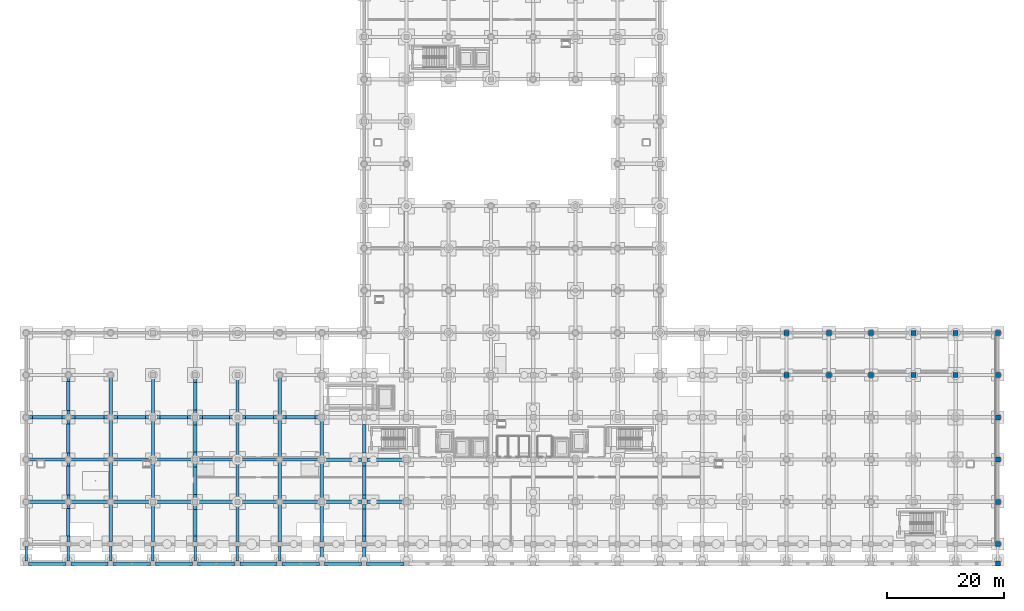
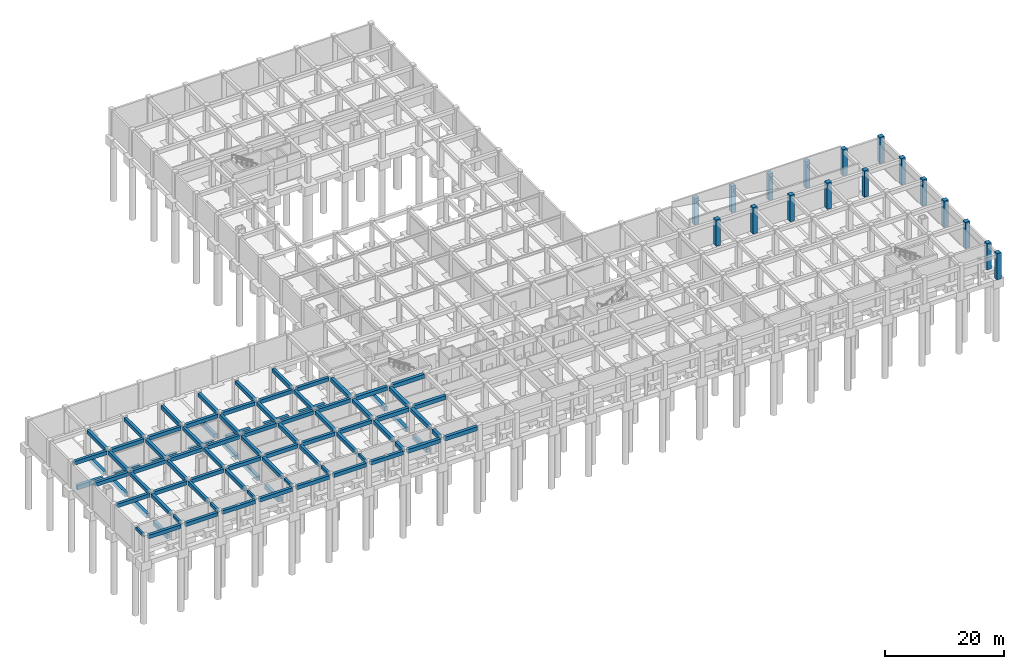
# One storey, part 8 of 26: 90 beams, 17 columns.
"""IFC4 building model written with IfcOpenShell, lengths in metres."""

import ifcopenshell
import ifcopenshell.guid

model = None  # the IFC model being written
_history = None  # IfcOwnerHistory: only IFC2X3 demands one
_inside = {}  # id of a spatial element -> (the spatial element, [elements in it])
_under = {}  # id of a project, library or spatial element -> (it, [spatial elements below it])
_declared = {}  # id of a project -> (the project, [libraries it declares])
_typed = {}  # id of a type object -> (the type object, [elements of that type])
_made_of = {}  # id of a material, layer set ... -> (it, [elements and type objects made of it])


def new_model(schema):
    """Start an empty IFC model of exactly this schema.

    Asked for "IFC4X3", IfcOpenShell would pick the latest addendum, in which some entities
    have other attributes; the version numbers below select the first issue.
    IFC2X3 requires an IfcOwnerHistory on every rooted entity: one is made here for all.
    """
    global model, _history
    if schema == "IFC4X3":
        model = ifcopenshell.file(schema_version=(4, 3, 0, 0))
    else:
        model = ifcopenshell.file(schema=schema)
    _inside.clear()
    _under.clear()
    _declared.clear()
    _typed.clear()
    _made_of.clear()
    _history = None
    if model.schema == "IFC2X3":
        org = make("IfcOrganization", Name="unknown")
        user = make(
            "IfcPersonAndOrganization",
            ThePerson=make("IfcPerson", FamilyName="unknown"),
            TheOrganization=org,
        )
        app = make(
            "IfcApplication",
            ApplicationDeveloper=org,
            Version="unknown",
            ApplicationFullName="unknown",
            ApplicationIdentifier="unknown",
        )
        _history = make(
            "IfcOwnerHistory",
            OwningUser=user,
            OwningApplication=app,
            ChangeAction="ADDED",
            CreationDate=0,
        )
    return model


def make(cls, **values):
    """One entity of the class cls with the attributes given. An attribute that is None is left unset."""
    return model.create_entity(
        cls, **{name: value for name, value in values.items() if value is not None}
    )


def rooted(cls, **values):
    """An entity with a GlobalId (a new one), such as an element, a storey or a relation."""
    return make(cls, GlobalId=ifcopenshell.guid.new(), OwnerHistory=_history, **values)


def si_unit(unit_type, name, prefix=None):
    """IfcSIUnit, for example si_unit("LENGTHUNIT", "METRE", prefix="MILLI")."""
    return make("IfcSIUnit", UnitType=unit_type, Prefix=prefix, Name=name)


def assignment(units):
    """IfcUnitAssignment: the units of a project."""
    return None if units is None else make("IfcUnitAssignment", Units=units)


def point(xyz):
    """IfcCartesianPoint."""
    return None if xyz is None else make("IfcCartesianPoint", Coordinates=xyz)


def direction(xyz):
    """IfcDirection."""
    return None if xyz is None else make("IfcDirection", DirectionRatios=xyz)


def frame(location, z_axis=None, x_axis=None):
    """IfcAxis2Placement3D, a coordinate frame: its origin and axes. An axis left out is left unset."""
    return make(
        "IfcAxis2Placement3D",
        Location=point(location),
        Axis=direction(z_axis),
        RefDirection=direction(x_axis),
    )


def frame_2d(location, x_axis=None):
    """IfcAxis2Placement2D, a coordinate frame in the plane: its origin and x axis."""
    return make(
        "IfcAxis2Placement2D", Location=point(location), RefDirection=direction(x_axis)
    )


def origin():
    """The frame at (0, 0, 0) with its axes left unset."""
    return frame((0.0, 0.0, 0.0))


def origin_2d():
    """The frame at (0, 0) in the plane with its x axis left unset."""
    return frame_2d((0.0, 0.0))


def place(relative_to, where):
    """IfcLocalPlacement: puts the frame where relative to a parent placement (None: the world)."""
    return make(
        "IfcLocalPlacement", PlacementRelTo=relative_to, RelativePlacement=where
    )


def context(
    kind, dimensions, precision=None, world=None, true_north=None, identifier=None
):
    """IfcGeometricRepresentationContext, for example the 3D "Model" context."""
    return make(
        "IfcGeometricRepresentationContext",
        ContextIdentifier=identifier,
        ContextType=kind,
        CoordinateSpaceDimension=dimensions,
        Precision=precision,
        WorldCoordinateSystem=world,
        TrueNorth=true_north,
    )


def subcontext(parent, identifier, kind, view, scale=None):
    """IfcGeometricRepresentationSubContext, for example "Body" below "Model"."""
    return make(
        "IfcGeometricRepresentationSubContext",
        ContextIdentifier=identifier,
        ContextType=kind,
        ParentContext=parent,
        TargetScale=scale,
        TargetView=view,
    )


def project(units=None, contexts=None):
    """IfcProject with its units and contexts."""
    return rooted(
        "IfcProject",
        Name="project",
        RepresentationContexts=contexts,
        UnitsInContext=assignment(units),
    )


def spatial(cls, under=None, at=None, **own):
    """A site, building, storey or space (cls), placed at a placement, below another one or the project."""
    s = rooted(cls, ObjectPlacement=at, **own)
    if under is not None:
        _under.setdefault(under.id(), (under, []))[1].append(s)
    return s


def profile(cls, at=None, kind="AREA", **sizes):
    """A parametric profile (cls). Its sizes go by their IFC names, for example OverallWidth=200.0."""
    return make(cls, ProfileType=kind, Position=at, **sizes)


def rectangle(**sizes):
    """IfcRectangleProfileDef."""
    return profile("IfcRectangleProfileDef", **sizes)


def extrude(swept, where, along, depth):
    """IfcExtrudedAreaSolid: the profile swept, set in the frame where, extruded along a direction by depth."""
    return make(
        "IfcExtrudedAreaSolid",
        SweptArea=swept,
        Position=where,
        ExtrudedDirection=direction(along),
        Depth=depth,
    )


def shape(context_of_items, identifier, shape_type, items):
    """IfcShapeRepresentation: the items that make up one representation, for example the "Body"."""
    return make(
        "IfcShapeRepresentation",
        ContextOfItems=context_of_items,
        RepresentationIdentifier=identifier,
        RepresentationType=shape_type,
        Items=items,
    )


def material(Name=None, Category=None):
    """IfcMaterial."""
    return make("IfcMaterial", Name=Name, Category=Category)


def material_profile(
    of_material, cross_section, Name=None, Category=None, Priority=None
):
    """IfcMaterialProfile: a cross section and its material."""
    return make(
        "IfcMaterialProfile",
        Name=Name,
        Material=of_material,
        Profile=cross_section,
        Priority=Priority,
        Category=Category,
    )


def profile_set(profiles, Name=None, composite=None):
    """IfcMaterialProfileSet."""
    return make(
        "IfcMaterialProfileSet",
        Name=Name,
        MaterialProfiles=profiles,
        CompositeProfile=composite,
    )


def made_of(thing, what):
    """Note that an element or type object is made of a material, layer set ...; save() writes the relation."""
    if what is not None:
        _made_of.setdefault(what.id(), (what, []))[1].append(thing)
    return thing


def type_object(cls, material=None, **own):
    """A type object (cls), such as IfcWallType, which elements share."""
    return made_of(rooted(cls, **own), material)


def element(
    cls,
    number,
    at=None,
    inside=None,
    cuts=None,
    type_object=None,
    material=None,
    context=None,
    identifier="Body",
    shape_type=None,
    held_by="IfcProductDefinitionShape",
    body=None,
    shapes=None,
    **own,
):
    """One element of the class cls, such as IfcWall. Its Tag is "e" and its number.

    at: its placement. inside: the storey or other place that contains it. cuts: it is an
    opening in that element (IfcRelVoidsElement). A single representation is given by context,
    identifier, shape_type and body (its items); several are given by shapes. held_by: the class
    of the entity that holds the representations. save() writes the other relations.
    """
    e = rooted(cls, Tag="e%d" % number, ObjectPlacement=at, **own)
    if body is not None:
        shapes = [shape(context, identifier, shape_type, body)]
    if shapes is not None:
        e.Representation = make(held_by, Representations=shapes)
    if inside is not None:
        _inside.setdefault(inside.id(), (inside, []))[1].append(e)
    if cuts is not None:
        rooted(
            "IfcRelVoidsElement", RelatingBuildingElement=cuts, RelatedOpeningElement=e
        )
    if type_object is not None:
        _typed.setdefault(type_object.id(), (type_object, []))[1].append(e)
    return made_of(e, material)


def aggregate(whole, parts):
    """IfcRelAggregates: a whole, such as a stair, and the parts it consists of."""
    return rooted("IfcRelAggregates", RelatingObject=whole, RelatedObjects=parts)


def save(model, path):
    """Write the relations noted so far, then the file.

    IfcRelAggregates (storeys below a building ...), IfcRelContainedInSpatialStructure (elements
    in a storey), IfcRelDefinesByType, IfcRelAssociatesMaterial and IfcRelDeclares: one each for
    every whole, place, type object, material and project.
    """
    for whole, parts in _under.values():
        aggregate(whole, parts)
    for where, things in _inside.values():
        rooted(
            "IfcRelContainedInSpatialStructure",
            RelatedElements=things,
            RelatingStructure=where,
        )
    for kind, things in _typed.values():
        rooted("IfcRelDefinesByType", RelatedObjects=things, RelatingType=kind)
    for what, things in _made_of.values():
        rooted("IfcRelAssociatesMaterial", RelatedObjects=things, RelatingMaterial=what)
    for by, libraries in _declared.values():
        rooted("IfcRelDeclares", RelatingContext=by, RelatedDefinitions=libraries)
    model.write(path)


model = new_model("IFC4")

# Units and contexts
model_context = context("Model", 3, precision=1e-05, world=origin(), true_north=direction((0.0, 1.0)))
body_context = subcontext(model_context, "Body", "Model", "MODEL_VIEW")
ifc_project = project(units=[si_unit("LENGTHUNIT", "METRE"), si_unit("AREAUNIT", "SQUARE_METRE"), si_unit("VOLUMEUNIT", "CUBIC_METRE"), si_unit("PLANEANGLEUNIT", "RADIAN"), si_unit("MASSUNIT", "GRAM", prefix="KILO")], contexts=[model_context])

# Site, building, storey
site_placement = place(None, origin())
site = spatial("IfcSite", under=ifc_project, at=site_placement, CompositionType="ELEMENT")
building_placement = place(site_placement, origin())
building = spatial("IfcBuilding", under=site, at=building_placement, Name="Kazehaya Institute of Natural Sciences", CompositionType="ELEMENT")
storey_placement = place(building_placement, frame((0.0, 0.0, -5.39990234375)))
storey = spatial("IfcBuildingStorey", under=building, at=storey_placement, Name="B1", CompositionType="ELEMENT", Elevation=-5.39990234375)

# Columns
ifc_material_1 = material(Name="Concrete Fc42", Category="concrete")
ifc_material_profile_1 = material_profile(ifc_material_1, rectangle(XDim=0.85009765625, YDim=0.85009765625, at=origin_2d()), Name="RC-850x850")
ifc_profile_set_1 = profile_set([ifc_material_profile_1], Name="Concrete Fc42")
column_type = type_object("IfcColumnType", Name="COL-RC850", PredefinedType="COLUMN", material=ifc_profile_set_1)
for number, where, z_axis, x_axis, name in (
    (1, (169.800048828125, 3.449951171875, 0.0), (0.0, 0.0, 1.0), (1.0, 0.0, 0.0), "B1 column COL-B1-0024"),
    (2, (169.800048828125, 6.800048828125, 0.0), (0.0, 0.0, 1.0), (1.0, 0.0, 0.0), "B1 column COL-B1-0048"),
    (3, (169.800048828125, 14.0, 0.0), (0.0, 0.0, 1.0), (1.0, 0.0, 0.0), "B1 column COL-B1-0072"),
    (4, (169.800048828125, 21.199951171875, 0.0), (0.0, 0.0, 1.0), (1.0, 0.0, 0.0), "B1 column COL-B1-0096"),
    (5, (169.800048828125, 28.39990234375, 0.0), (0.0, 0.0, 1.0), (1.0, 0.0, 0.0), "B1 column COL-B1-0120"),
    (6, (133.800048828125, 35.60009765625, 0.0), (0.0, 0.0, 1.0), (1.0, 0.0, 0.0), "B1 column COL-B1-0139"),
    (7, (141.0, 35.60009765625, 0.0), (0.0, 0.0, 1.0), (1.0, 0.0, 0.0), "B1 column COL-B1-0140"),
    (8, (148.199951171875, 35.60009765625, 0.0), (0.0, 0.0, 1.0), (1.0, 0.0, 0.0), "B1 column COL-B1-0141"),
    (9, (155.39990234375, 35.60009765625, 0.0), (0.0, 0.0, 1.0), (1.0, 0.0, 0.0), "B1 column COL-B1-0142"),
    (10, (162.60009765625, 35.60009765625, 0.0), (0.0, 0.0, 1.0), (1.0, 0.0, 0.0), "B1 column COL-B1-0143"),
    (11, (169.800048828125, 35.60009765625, 0.0), (0.0, 0.0, 1.0), (1.0, 0.0, 0.0), "B1 column COL-B1-0144"),
    (12, (133.800048828125, 42.800048828125, 0.0), (0.0, 0.0, 1.0), (1.0, 0.0, 0.0), "B1 column COL-B1-0163"),
    (13, (141.0, 42.800048828125, 0.0), (0.0, 0.0, 1.0), (1.0, 0.0, 0.0), "B1 column COL-B1-0164"),
    (14, (148.199951171875, 42.800048828125, 0.0), (0.0, 0.0, 1.0), (1.0, 0.0, 0.0), "B1 column COL-B1-0165"),
    (15, (155.39990234375, 42.800048828125, 0.0), (0.0, 0.0, 1.0), (1.0, 0.0, 0.0), "B1 column COL-B1-0166"),
    (16, (162.60009765625, 42.800048828125, 0.0), (0.0, 0.0, 1.0), (1.0, 0.0, 0.0), "B1 column COL-B1-0167"),
    (17, (169.800048828125, 42.800048828125, 0.0), (0.0, 0.0, 1.0), (1.0, 0.0, 0.0), "B1 column COL-B1-0168"),
):
    element("IfcColumn", number, at=place(storey_placement, frame(where, z_axis=z_axis, x_axis=x_axis)), inside=storey, type_object=column_type, Name=name, PredefinedType="COLUMN", context=body_context, shape_type="SweptSolid", body=[
        extrude(rectangle(XDim=0.85009765625, YDim=0.85009765625, at=origin_2d()), origin(), (0.0, 0.0, 1.0), 5.39990234375),
    ])

# Beams
ifc_material_2 = material(Name="Concrete Fc36", Category="concrete")
ifc_material_profile_2 = material_profile(ifc_material_2, rectangle(XDim=0.39990234375, YDim=0.60009765625, at=origin_2d()), Name="RC-400x600")
ifc_profile_set_2 = profile_set([ifc_material_profile_2], Name="Concrete Fc36")
beam_type_1 = type_object("IfcBeamType", Name="BM-B-400x600", PredefinedType="BEAM", material=ifc_profile_set_2)
for number, where, z_axis, x_axis, name in (
    (18, (4.199951171875, 3.875, 4.81982421875), (0.0, 1.0, 0.0), (-1.0, 0.0, 0.0), "B1 primary Y girder BMY-B1-42-34"),
    (19, (11.39990234375, 3.875, 4.81982421875), (0.0, 1.0, 0.0), (-1.0, 0.0, 0.0), "B1 primary Y girder BMY-B1-114-34"),
    (20, (18.60009765625, 3.875, 4.81982421875), (0.0, 1.0, 0.0), (-1.0, 0.0, 0.0), "B1 primary Y girder BMY-B1-186-34"),
    (21, (25.800048828125, 3.875, 4.81982421875), (0.0, 1.0, 0.0), (-1.0, 0.0, 0.0), "B1 primary Y girder BMY-B1-258-34"),
    (22, (33.0, 3.875, 4.81982421875), (0.0, 1.0, 0.0), (-1.0, 0.0, 0.0), "B1 primary Y girder BMY-B1-330-34"),
    (23, (40.199951171875, 3.875, 4.81982421875), (0.0, 1.0, 0.0), (-1.0, 0.0, 0.0), "B1 primary Y girder BMY-B1-402-34"),
    (24, (47.39990234375, 3.875, 4.81982421875), (0.0, 1.0, 0.0), (-1.0, 0.0, 0.0), "B1 primary Y girder BMY-B1-474-34"),
):
    element("IfcBeam", number, at=place(storey_placement, frame(where, z_axis=z_axis, x_axis=x_axis)), inside=storey, type_object=beam_type_1, Name=name, PredefinedType="BEAM", context=body_context, shape_type="SweptSolid", body=[
        extrude(rectangle(XDim=0.39990234375, YDim=0.60009765625, at=origin_2d()), origin(), (0.0, 0.0, 1.0), 2.5),
    ])
ifc_material_profile_3 = material_profile(ifc_material_2, rectangle(XDim=0.550048828125, YDim=0.75, at=origin_2d()), Name="RC-550x750")
ifc_profile_set_3 = profile_set([ifc_material_profile_3], Name="Concrete Fc36")
beam_type_2 = type_object("IfcBeamType", Name="BM-G-550x750", PredefinedType="BEAM", material=ifc_profile_set_3)
for number, where, z_axis, x_axis, name in (
    (25, (4.625, 3.449951171875, 4.744873046875), (1.0, 0.0, 0.0), (0.0, 1.0, 0.0), "B1 primary X girder BMX-B1-42-34"),
    (26, (11.824951171875, 3.449951171875, 4.744873046875), (1.0, 0.0, 0.0), (0.0, 1.0, 0.0), "B1 primary X girder BMX-B1-114-34"),
    (27, (19.02490234375, 3.449951171875, 4.744873046875), (1.0, 0.0, 0.0), (0.0, 1.0, 0.0), "B1 primary X girder BMX-B1-186-34"),
):
    element("IfcBeam", number, at=place(storey_placement, frame(where, z_axis=z_axis, x_axis=x_axis)), inside=storey, type_object=beam_type_2, Name=name, PredefinedType="BEAM", context=body_context, shape_type="SweptSolid", body=[
        extrude(rectangle(XDim=0.550048828125, YDim=0.75, at=origin_2d()), origin(), (0.0, 0.0, 1.0), 6.35009765625),
    ])
for number, where, z_axis, x_axis, name in (
    (28, (26.22509765625, 3.449951171875, 4.744873046875), (1.0, 0.0, 0.0), (0.0, 1.0, 0.0), "B1 primary X girder BMX-B1-258-34"),
    (29, (33.425048828125, 3.449951171875, 4.744873046875), (1.0, 0.0, 0.0), (0.0, 1.0, 0.0), "B1 primary X girder BMX-B1-330-34"),
):
    element("IfcBeam", number, at=place(storey_placement, frame(where, z_axis=z_axis, x_axis=x_axis)), inside=storey, type_object=beam_type_2, Name=name, PredefinedType="BEAM", context=body_context, shape_type="SweptSolid", body=[
        extrude(rectangle(XDim=0.550048828125, YDim=0.75, at=origin_2d()), origin(), (0.0, 0.0, 1.0), 6.349853515625),
    ])
for number, where, z_axis, x_axis, name in (
    (30, (40.625, 3.449951171875, 4.744873046875), (1.0, 0.0, 0.0), (0.0, 1.0, 0.0), "B1 primary X girder BMX-B1-402-34"),
    (31, (47.824951171875, 3.449951171875, 4.744873046875), (1.0, 0.0, 0.0), (0.0, 1.0, 0.0), "B1 primary X girder BMX-B1-474-34"),
    (32, (4.625, 14.0, 4.744873046875), (1.0, 0.0, 0.0), (0.0, 1.0, 0.0), "B1 primary X girder BMX-B1-42-140"),
    (33, (11.824951171875, 14.0, 4.744873046875), (1.0, 0.0, 0.0), (0.0, 1.0, 0.0), "B1 primary X girder BMX-B1-114-140"),
    (34, (19.02490234375, 14.0, 4.744873046875), (1.0, 0.0, 0.0), (0.0, 1.0, 0.0), "B1 primary X girder BMX-B1-186-140"),
):
    element("IfcBeam", number, at=place(storey_placement, frame(where, z_axis=z_axis, x_axis=x_axis)), inside=storey, type_object=beam_type_2, Name=name, PredefinedType="BEAM", context=body_context, shape_type="SweptSolid", body=[
        extrude(rectangle(XDim=0.550048828125, YDim=0.75, at=origin_2d()), origin(), (0.0, 0.0, 1.0), 6.35009765625),
    ])
for number, where, z_axis, x_axis, name in (
    (35, (26.22509765625, 14.0, 4.744873046875), (1.0, 0.0, 0.0), (0.0, 1.0, 0.0), "B1 primary X girder BMX-B1-258-140"),
    (36, (33.425048828125, 14.0, 4.744873046875), (1.0, 0.0, 0.0), (0.0, 1.0, 0.0), "B1 primary X girder BMX-B1-330-140"),
):
    element("IfcBeam", number, at=place(storey_placement, frame(where, z_axis=z_axis, x_axis=x_axis)), inside=storey, type_object=beam_type_2, Name=name, PredefinedType="BEAM", context=body_context, shape_type="SweptSolid", body=[
        extrude(rectangle(XDim=0.550048828125, YDim=0.75, at=origin_2d()), origin(), (0.0, 0.0, 1.0), 6.349853515625),
    ])
beam_1_placement = place(storey_placement, frame((40.625, 14.0, 4.744873046875), z_axis=(1.0, 0.0, 0.0), x_axis=(0.0, 1.0, 0.0)))
element("IfcBeam", 37, at=beam_1_placement, inside=storey, type_object=beam_type_2, Name="B1 primary X girder BMX-B1-402-140", PredefinedType="BEAM", context=body_context, shape_type="SweptSolid", body=[
    extrude(rectangle(XDim=0.550048828125, YDim=0.75, at=origin_2d()), origin(), (0.0, 0.0, 1.0), 6.35009765625),
])
beam_2_placement = place(storey_placement, frame((47.824951171875, 14.0, 4.744873046875), z_axis=(1.0, 0.0, 0.0), x_axis=(0.0, 1.0, 0.0)))
element("IfcBeam", 38, at=beam_2_placement, inside=storey, type_object=beam_type_2, Name="B1 primary X girder BMX-B1-474-140", PredefinedType="BEAM", context=body_context, shape_type="SweptSolid", body=[
    extrude(rectangle(XDim=0.550048828125, YDim=0.75, at=origin_2d()), origin(), (0.0, 0.0, 1.0), 6.300048828125),
])
for number, where, z_axis, x_axis, name in (
    (39, (4.625, 21.199951171875, 4.744873046875), (1.0, 0.0, 0.0), (0.0, 1.0, 0.0), "B1 primary X girder BMX-B1-42-212"),
    (40, (11.824951171875, 21.199951171875, 4.744873046875), (1.0, 0.0, 0.0), (0.0, 1.0, 0.0), "B1 primary X girder BMX-B1-114-212"),
    (41, (19.02490234375, 21.199951171875, 4.744873046875), (1.0, 0.0, 0.0), (0.0, 1.0, 0.0), "B1 primary X girder BMX-B1-186-212"),
):
    element("IfcBeam", number, at=place(storey_placement, frame(where, z_axis=z_axis, x_axis=x_axis)), inside=storey, type_object=beam_type_2, Name=name, PredefinedType="BEAM", context=body_context, shape_type="SweptSolid", body=[
        extrude(rectangle(XDim=0.550048828125, YDim=0.75, at=origin_2d()), origin(), (0.0, 0.0, 1.0), 6.35009765625),
    ])
for number, where, z_axis, x_axis, name in (
    (42, (26.22509765625, 21.199951171875, 4.744873046875), (1.0, 0.0, 0.0), (0.0, 1.0, 0.0), "B1 primary X girder BMX-B1-258-212"),
    (43, (33.425048828125, 21.199951171875, 4.744873046875), (1.0, 0.0, 0.0), (0.0, 1.0, 0.0), "B1 primary X girder BMX-B1-330-212"),
):
    element("IfcBeam", number, at=place(storey_placement, frame(where, z_axis=z_axis, x_axis=x_axis)), inside=storey, type_object=beam_type_2, Name=name, PredefinedType="BEAM", context=body_context, shape_type="SweptSolid", body=[
        extrude(rectangle(XDim=0.550048828125, YDim=0.75, at=origin_2d()), origin(), (0.0, 0.0, 1.0), 6.349853515625),
    ])
beam_3_placement = place(storey_placement, frame((40.625, 21.199951171875, 4.744873046875), z_axis=(1.0, 0.0, 0.0), x_axis=(0.0, 1.0, 0.0)))
element("IfcBeam", 44, at=beam_3_placement, inside=storey, type_object=beam_type_2, Name="B1 primary X girder BMX-B1-402-212", PredefinedType="BEAM", context=body_context, shape_type="SweptSolid", body=[
    extrude(rectangle(XDim=0.550048828125, YDim=0.75, at=origin_2d()), origin(), (0.0, 0.0, 1.0), 6.35009765625),
])
beam_4_placement = place(storey_placement, frame((47.824951171875, 21.199951171875, 4.744873046875), z_axis=(1.0, 0.0, 0.0), x_axis=(0.0, 1.0, 0.0)))
element("IfcBeam", 45, at=beam_4_placement, inside=storey, type_object=beam_type_2, Name="B1 primary X girder BMX-B1-474-212", PredefinedType="BEAM", context=body_context, shape_type="SweptSolid", body=[
    extrude(rectangle(XDim=0.550048828125, YDim=0.75, at=origin_2d()), origin(), (0.0, 0.0, 1.0), 6.300048828125),
])
for number, where, z_axis, x_axis, name in (
    (46, (4.625, 28.39990234375, 4.744873046875), (1.0, 0.0, 0.0), (0.0, 1.0, 0.0), "B1 primary X girder BMX-B1-42-284"),
    (47, (11.824951171875, 28.39990234375, 4.744873046875), (1.0, 0.0, 0.0), (0.0, 1.0, 0.0), "B1 primary X girder BMX-B1-114-284"),
    (48, (19.02490234375, 28.39990234375, 4.744873046875), (1.0, 0.0, 0.0), (0.0, 1.0, 0.0), "B1 primary X girder BMX-B1-186-284"),
):
    element("IfcBeam", number, at=place(storey_placement, frame(where, z_axis=z_axis, x_axis=x_axis)), inside=storey, type_object=beam_type_2, Name=name, PredefinedType="BEAM", context=body_context, shape_type="SweptSolid", body=[
        extrude(rectangle(XDim=0.550048828125, YDim=0.75, at=origin_2d()), origin(), (0.0, 0.0, 1.0), 6.35009765625),
    ])
for number, where, z_axis, x_axis, name in (
    (49, (26.22509765625, 28.39990234375, 4.744873046875), (1.0, 0.0, 0.0), (0.0, 1.0, 0.0), "B1 primary X girder BMX-B1-258-284"),
    (50, (33.425048828125, 28.39990234375, 4.744873046875), (1.0, 0.0, 0.0), (0.0, 1.0, 0.0), "B1 primary X girder BMX-B1-330-284"),
):
    element("IfcBeam", number, at=place(storey_placement, frame(where, z_axis=z_axis, x_axis=x_axis)), inside=storey, type_object=beam_type_2, Name=name, PredefinedType="BEAM", context=body_context, shape_type="SweptSolid", body=[
        extrude(rectangle(XDim=0.550048828125, YDim=0.75, at=origin_2d()), origin(), (0.0, 0.0, 1.0), 6.349853515625),
    ])
beam_5_placement = place(storey_placement, frame((40.625, 28.39990234375, 4.744873046875), z_axis=(1.0, 0.0, 0.0), x_axis=(0.0, 1.0, 0.0)))
element("IfcBeam", 51, at=beam_5_placement, inside=storey, type_object=beam_type_2, Name="B1 primary X girder BMX-B1-402-284", PredefinedType="BEAM", context=body_context, shape_type="SweptSolid", body=[
    extrude(rectangle(XDim=0.550048828125, YDim=0.75, at=origin_2d()), origin(), (0.0, 0.0, 1.0), 6.35009765625),
])
beam_6_placement = place(storey_placement, frame((47.824951171875, 28.39990234375, 4.744873046875), z_axis=(1.0, 0.0, 0.0), x_axis=(0.0, 1.0, 0.0)))
element("IfcBeam", 52, at=beam_6_placement, inside=storey, type_object=beam_type_2, Name="B1 primary X girder BMX-B1-474-284", PredefinedType="BEAM", context=body_context, shape_type="SweptSolid", body=[
    extrude(rectangle(XDim=0.550048828125, YDim=0.75, at=origin_2d()), origin(), (0.0, 0.0, 1.0), 6.300048828125),
])
for number, where, z_axis, x_axis, name in (
    (53, (11.39990234375, 7.22509765625, 4.744873046875), (0.0, 1.0, 0.0), (-1.0, 0.0, 0.0), "B1 primary Y girder BMY-B1-114-68"),
    (54, (11.39990234375, 14.425048828125, 4.744873046875), (0.0, 1.0, 0.0), (-1.0, 0.0, 0.0), "B1 primary Y girder BMY-B1-114-140"),
):
    element("IfcBeam", number, at=place(storey_placement, frame(where, z_axis=z_axis, x_axis=x_axis)), inside=storey, type_object=beam_type_2, Name=name, PredefinedType="BEAM", context=body_context, shape_type="SweptSolid", body=[
        extrude(rectangle(XDim=0.550048828125, YDim=0.75, at=origin_2d()), origin(), (0.0, 0.0, 1.0), 6.349853515625),
    ])
for number, where, z_axis, x_axis, name in (
    (55, (11.39990234375, 21.625, 4.744873046875), (0.0, 1.0, 0.0), (-1.0, 0.0, 0.0), "B1 primary Y girder BMY-B1-114-212"),
    (56, (11.39990234375, 28.824951171875, 4.744873046875), (0.0, 1.0, 0.0), (-1.0, 0.0, 0.0), "B1 primary Y girder BMY-B1-114-284"),
):
    element("IfcBeam", number, at=place(storey_placement, frame(where, z_axis=z_axis, x_axis=x_axis)), inside=storey, type_object=beam_type_2, Name=name, PredefinedType="BEAM", context=body_context, shape_type="SweptSolid", body=[
        extrude(rectangle(XDim=0.550048828125, YDim=0.75, at=origin_2d()), origin(), (0.0, 0.0, 1.0), 6.35009765625),
    ])
for number, where, z_axis, x_axis, name in (
    (57, (18.60009765625, 7.22509765625, 4.744873046875), (0.0, 1.0, 0.0), (-1.0, 0.0, 0.0), "B1 primary Y girder BMY-B1-186-68"),
    (58, (18.60009765625, 14.425048828125, 4.744873046875), (0.0, 1.0, 0.0), (-1.0, 0.0, 0.0), "B1 primary Y girder BMY-B1-186-140"),
):
    element("IfcBeam", number, at=place(storey_placement, frame(where, z_axis=z_axis, x_axis=x_axis)), inside=storey, type_object=beam_type_2, Name=name, PredefinedType="BEAM", context=body_context, shape_type="SweptSolid", body=[
        extrude(rectangle(XDim=0.550048828125, YDim=0.75, at=origin_2d()), origin(), (0.0, 0.0, 1.0), 6.349853515625),
    ])
for number, where, z_axis, x_axis, name in (
    (59, (18.60009765625, 21.625, 4.744873046875), (0.0, 1.0, 0.0), (-1.0, 0.0, 0.0), "B1 primary Y girder BMY-B1-186-212"),
    (60, (18.60009765625, 28.824951171875, 4.744873046875), (0.0, 1.0, 0.0), (-1.0, 0.0, 0.0), "B1 primary Y girder BMY-B1-186-284"),
):
    element("IfcBeam", number, at=place(storey_placement, frame(where, z_axis=z_axis, x_axis=x_axis)), inside=storey, type_object=beam_type_2, Name=name, PredefinedType="BEAM", context=body_context, shape_type="SweptSolid", body=[
        extrude(rectangle(XDim=0.550048828125, YDim=0.75, at=origin_2d()), origin(), (0.0, 0.0, 1.0), 6.35009765625),
    ])
for number, where, z_axis, x_axis, name in (
    (61, (25.800048828125, 7.22509765625, 4.744873046875), (0.0, 1.0, 0.0), (-1.0, 0.0, 0.0), "B1 primary Y girder BMY-B1-258-68"),
    (62, (25.800048828125, 14.425048828125, 4.744873046875), (0.0, 1.0, 0.0), (-1.0, 0.0, 0.0), "B1 primary Y girder BMY-B1-258-140"),
):
    element("IfcBeam", number, at=place(storey_placement, frame(where, z_axis=z_axis, x_axis=x_axis)), inside=storey, type_object=beam_type_2, Name=name, PredefinedType="BEAM", context=body_context, shape_type="SweptSolid", body=[
        extrude(rectangle(XDim=0.550048828125, YDim=0.75, at=origin_2d()), origin(), (0.0, 0.0, 1.0), 6.349853515625),
    ])
for number, where, z_axis, x_axis, name in (
    (63, (25.800048828125, 21.625, 4.744873046875), (0.0, 1.0, 0.0), (-1.0, 0.0, 0.0), "B1 primary Y girder BMY-B1-258-212"),
    (64, (25.800048828125, 28.824951171875, 4.744873046875), (0.0, 1.0, 0.0), (-1.0, 0.0, 0.0), "B1 primary Y girder BMY-B1-258-284"),
):
    element("IfcBeam", number, at=place(storey_placement, frame(where, z_axis=z_axis, x_axis=x_axis)), inside=storey, type_object=beam_type_2, Name=name, PredefinedType="BEAM", context=body_context, shape_type="SweptSolid", body=[
        extrude(rectangle(XDim=0.550048828125, YDim=0.75, at=origin_2d()), origin(), (0.0, 0.0, 1.0), 6.35009765625),
    ])
for number, where, z_axis, x_axis, name in (
    (65, (33.0, 7.22509765625, 4.744873046875), (0.0, 1.0, 0.0), (-1.0, 0.0, 0.0), "B1 primary Y girder BMY-B1-330-68"),
    (66, (33.0, 14.425048828125, 4.744873046875), (0.0, 1.0, 0.0), (-1.0, 0.0, 0.0), "B1 primary Y girder BMY-B1-330-140"),
):
    element("IfcBeam", number, at=place(storey_placement, frame(where, z_axis=z_axis, x_axis=x_axis)), inside=storey, type_object=beam_type_2, Name=name, PredefinedType="BEAM", context=body_context, shape_type="SweptSolid", body=[
        extrude(rectangle(XDim=0.550048828125, YDim=0.75, at=origin_2d()), origin(), (0.0, 0.0, 1.0), 6.349853515625),
    ])
for number, where, z_axis, x_axis, name in (
    (67, (33.0, 21.625, 4.744873046875), (0.0, 1.0, 0.0), (-1.0, 0.0, 0.0), "B1 primary Y girder BMY-B1-330-212"),
    (68, (33.0, 28.824951171875, 4.744873046875), (0.0, 1.0, 0.0), (-1.0, 0.0, 0.0), "B1 primary Y girder BMY-B1-330-284"),
):
    element("IfcBeam", number, at=place(storey_placement, frame(where, z_axis=z_axis, x_axis=x_axis)), inside=storey, type_object=beam_type_2, Name=name, PredefinedType="BEAM", context=body_context, shape_type="SweptSolid", body=[
        extrude(rectangle(XDim=0.550048828125, YDim=0.75, at=origin_2d()), origin(), (0.0, 0.0, 1.0), 6.35009765625),
    ])
for number, where, z_axis, x_axis, name in (
    (69, (40.199951171875, 7.22509765625, 4.744873046875), (0.0, 1.0, 0.0), (-1.0, 0.0, 0.0), "B1 primary Y girder BMY-B1-402-68"),
    (70, (40.199951171875, 14.425048828125, 4.744873046875), (0.0, 1.0, 0.0), (-1.0, 0.0, 0.0), "B1 primary Y girder BMY-B1-402-140"),
):
    element("IfcBeam", number, at=place(storey_placement, frame(where, z_axis=z_axis, x_axis=x_axis)), inside=storey, type_object=beam_type_2, Name=name, PredefinedType="BEAM", context=body_context, shape_type="SweptSolid", body=[
        extrude(rectangle(XDim=0.550048828125, YDim=0.75, at=origin_2d()), origin(), (0.0, 0.0, 1.0), 6.349853515625),
    ])
for number, where, z_axis, x_axis, name in (
    (71, (40.199951171875, 21.625, 4.744873046875), (0.0, 1.0, 0.0), (-1.0, 0.0, 0.0), "B1 primary Y girder BMY-B1-402-212"),
    (72, (40.199951171875, 28.824951171875, 4.744873046875), (0.0, 1.0, 0.0), (-1.0, 0.0, 0.0), "B1 primary Y girder BMY-B1-402-284"),
):
    element("IfcBeam", number, at=place(storey_placement, frame(where, z_axis=z_axis, x_axis=x_axis)), inside=storey, type_object=beam_type_2, Name=name, PredefinedType="BEAM", context=body_context, shape_type="SweptSolid", body=[
        extrude(rectangle(XDim=0.550048828125, YDim=0.75, at=origin_2d()), origin(), (0.0, 0.0, 1.0), 6.35009765625),
    ])
for number, where, z_axis, x_axis, name in (
    (73, (47.39990234375, 7.22509765625, 4.744873046875), (0.0, 1.0, 0.0), (-1.0, 0.0, 0.0), "B1 primary Y girder BMY-B1-474-68"),
    (74, (47.39990234375, 14.425048828125, 4.744873046875), (0.0, 1.0, 0.0), (-1.0, 0.0, 0.0), "B1 primary Y girder BMY-B1-474-140"),
):
    element("IfcBeam", number, at=place(storey_placement, frame(where, z_axis=z_axis, x_axis=x_axis)), inside=storey, type_object=beam_type_2, Name=name, PredefinedType="BEAM", context=body_context, shape_type="SweptSolid", body=[
        extrude(rectangle(XDim=0.550048828125, YDim=0.75, at=origin_2d()), origin(), (0.0, 0.0, 1.0), 6.349853515625),
    ])
for number, where, z_axis, x_axis, name in (
    (75, (47.39990234375, 21.625, 4.744873046875), (0.0, 1.0, 0.0), (-1.0, 0.0, 0.0), "B1 primary Y girder BMY-B1-474-212"),
    (76, (47.39990234375, 28.824951171875, 4.744873046875), (0.0, 1.0, 0.0), (-1.0, 0.0, 0.0), "B1 primary Y girder BMY-B1-474-284"),
):
    element("IfcBeam", number, at=place(storey_placement, frame(where, z_axis=z_axis, x_axis=x_axis)), inside=storey, type_object=beam_type_2, Name=name, PredefinedType="BEAM", context=body_context, shape_type="SweptSolid", body=[
        extrude(rectangle(XDim=0.550048828125, YDim=0.75, at=origin_2d()), origin(), (0.0, 0.0, 1.0), 6.35009765625),
    ])
ifc_material_profile_4 = material_profile(ifc_material_2, rectangle(XDim=0.60009765625, YDim=0.800048828125, at=origin_2d()), Name="RC-600x800")
ifc_profile_set_4 = profile_set([ifc_material_profile_4], Name="Concrete Fc36")
beam_type_3 = type_object("IfcBeamType", Name="BM-G-600x800", PredefinedType="BEAM", material=ifc_profile_set_4)
beam_7_placement = place(storey_placement, frame((55.02490234375, 3.449951171875, 4.719970703125), z_axis=(1.0, 0.0, 0.0), x_axis=(0.0, 1.0, 0.0)))
element("IfcBeam", 77, at=beam_7_placement, inside=storey, type_object=beam_type_3, Name="B1 primary X girder BMX-B1-546-34", PredefinedType="BEAM", context=body_context, shape_type="SweptSolid", body=[
    extrude(rectangle(XDim=0.60009765625, YDim=0.800048828125, at=origin_2d()), origin(), (0.0, 0.0, 1.0), 6.35009765625),
])
beam_8_placement = place(storey_placement, frame((62.22509765625, 3.449951171875, 4.719970703125), z_axis=(1.0, 0.0, 0.0), x_axis=(0.0, 1.0, 0.0)))
element("IfcBeam", 78, at=beam_8_placement, inside=storey, type_object=beam_type_3, Name="B1 primary X girder BMX-B1-618-34", PredefinedType="BEAM", context=body_context, shape_type="SweptSolid", body=[
    extrude(rectangle(XDim=0.60009765625, YDim=0.800048828125, at=origin_2d()), origin(), (0.0, 0.0, 1.0), 6.349853515625),
])
for number, where, z_axis, x_axis, name in (
    (79, (55.074951171875, 14.0, 4.719970703125), (1.0, 0.0, 0.0), (0.0, 1.0, 0.0), "B1 primary X girder BMX-B1-546-140"),
    (80, (62.27490234375, 14.0, 4.719970703125), (1.0, 0.0, 0.0), (0.0, 1.0, 0.0), "B1 primary X girder BMX-B1-618-140"),
    (81, (55.074951171875, 21.199951171875, 4.719970703125), (1.0, 0.0, 0.0), (0.0, 1.0, 0.0), "B1 primary X girder BMX-B1-546-212"),
    (82, (62.27490234375, 21.199951171875, 4.719970703125), (1.0, 0.0, 0.0), (0.0, 1.0, 0.0), "B1 primary X girder BMX-B1-618-212"),
):
    element("IfcBeam", number, at=place(storey_placement, frame(where, z_axis=z_axis, x_axis=x_axis)), inside=storey, type_object=beam_type_3, Name=name, PredefinedType="BEAM", context=body_context, shape_type="SweptSolid", body=[
        extrude(rectangle(XDim=0.60009765625, YDim=0.800048828125, at=origin_2d()), origin(), (0.0, 0.0, 1.0), 6.25),
    ])
beam_9_placement = place(storey_placement, frame((54.60009765625, 3.875, 4.719970703125), z_axis=(0.0, 1.0, 0.0), x_axis=(-1.0, 0.0, 0.0)))
element("IfcBeam", 83, at=beam_9_placement, inside=storey, type_object=beam_type_3, Name="B1 primary Y girder BMY-B1-546-34", PredefinedType="BEAM", context=body_context, shape_type="SweptSolid", body=[
    extrude(rectangle(XDim=0.60009765625, YDim=0.800048828125, at=origin_2d()), origin(), (0.0, 0.0, 1.0), 2.449951171875),
])
for number, where, z_axis, x_axis, name in (
    (84, (54.60009765625, 7.27490234375, 4.719970703125), (0.0, 1.0, 0.0), (-1.0, 0.0, 0.0), "B1 primary Y girder BMY-B1-546-68"),
    (85, (54.60009765625, 14.47509765625, 4.719970703125), (0.0, 1.0, 0.0), (-1.0, 0.0, 0.0), "B1 primary Y girder BMY-B1-546-140"),
    (86, (54.60009765625, 21.675048828125, 4.719970703125), (0.0, 1.0, 0.0), (-1.0, 0.0, 0.0), "B1 primary Y girder BMY-B1-546-212"),
):
    element("IfcBeam", number, at=place(storey_placement, frame(where, z_axis=z_axis, x_axis=x_axis)), inside=storey, type_object=beam_type_3, Name=name, PredefinedType="BEAM", context=body_context, shape_type="SweptSolid", body=[
        extrude(rectangle(XDim=0.60009765625, YDim=0.800048828125, at=origin_2d()), origin(), (0.0, 0.0, 1.0), 6.25),
    ])
beam_10_placement = place(storey_placement, frame((61.800048828125, 3.875, 4.719970703125), z_axis=(0.0, 1.0, 0.0), x_axis=(-1.0, 0.0, 0.0)))
element("IfcBeam", 87, at=beam_10_placement, inside=storey, type_object=beam_type_3, Name="B1 primary Y girder BMY-B1-618-34", PredefinedType="BEAM", context=body_context, shape_type="SweptSolid", body=[
    extrude(rectangle(XDim=0.60009765625, YDim=0.800048828125, at=origin_2d()), origin(), (0.0, 0.0, 1.0), 2.449951171875),
])
for number, where, z_axis, x_axis, name in (
    (88, (61.800048828125, 7.27490234375, 4.719970703125), (0.0, 1.0, 0.0), (-1.0, 0.0, 0.0), "B1 primary Y girder BMY-B1-618-68"),
    (89, (61.800048828125, 14.47509765625, 4.719970703125), (0.0, 1.0, 0.0), (-1.0, 0.0, 0.0), "B1 primary Y girder BMY-B1-618-140"),
):
    element("IfcBeam", number, at=place(storey_placement, frame(where, z_axis=z_axis, x_axis=x_axis)), inside=storey, type_object=beam_type_3, Name=name, PredefinedType="BEAM", context=body_context, shape_type="SweptSolid", body=[
        extrude(rectangle(XDim=0.60009765625, YDim=0.800048828125, at=origin_2d()), origin(), (0.0, 0.0, 1.0), 6.25),
    ])
ifc_material_profile_5 = material_profile(ifc_material_2, rectangle(XDim=0.60009765625, YDim=0.89990234375, at=origin_2d()), Name="RC-600x900")
ifc_profile_set_5 = profile_set([ifc_material_profile_5], Name="Concrete Fc36")
beam_type_4 = type_object("IfcBeamType", Name="BM-TB-600x900", PredefinedType="T_BEAM", material=ifc_profile_set_5)
beam_11_placement = place(storey_placement, frame((5.25, 28.39990234375, -0.4501953125), z_axis=(1.0, 0.0, 0.0), x_axis=(0.0, 1.0, 0.0)))
element("IfcBeam", 90, at=beam_11_placement, inside=storey, type_object=beam_type_4, Name="Foundation tie beam TB-X-001", PredefinedType="T_BEAM", context=body_context, shape_type="SweptSolid", body=[
    extrude(rectangle(XDim=0.60009765625, YDim=0.89990234375, at=origin_2d()), origin(), (0.0, 0.0, 1.0), 5.02490234375),
])
beam_12_placement = place(storey_placement, frame((12.52490234375, 28.39990234375, -0.4501953125), z_axis=(1.0, 0.0, 0.0), x_axis=(0.0, 1.0, 0.0)))
element("IfcBeam", 91, at=beam_12_placement, inside=storey, type_object=beam_type_4, Name="Foundation tie beam TB-X-002", PredefinedType="T_BEAM", context=body_context, shape_type="SweptSolid", body=[
    extrude(rectangle(XDim=0.60009765625, YDim=0.89990234375, at=origin_2d()), origin(), (0.0, 0.0, 1.0), 4.925048828125),
])
beam_13_placement = place(storey_placement, frame((19.75, 28.39990234375, -0.4501953125), z_axis=(1.0, 0.0, 0.0), x_axis=(0.0, 1.0, 0.0)))
element("IfcBeam", 92, at=beam_13_placement, inside=storey, type_object=beam_type_4, Name="Foundation tie beam TB-X-003", PredefinedType="T_BEAM", context=body_context, shape_type="SweptSolid", body=[
    extrude(rectangle(XDim=0.60009765625, YDim=0.89990234375, at=origin_2d()), origin(), (0.0, 0.0, 1.0), 4.800048828125),
])
beam_14_placement = place(storey_placement, frame((27.050048828125, 28.39990234375, -0.4501953125), z_axis=(1.0, 0.0, 0.0), x_axis=(0.0, 1.0, 0.0)))
element("IfcBeam", 93, at=beam_14_placement, inside=storey, type_object=beam_type_4, Name="Foundation tie beam TB-X-004", PredefinedType="T_BEAM", context=body_context, shape_type="SweptSolid", body=[
    extrude(rectangle(XDim=0.60009765625, YDim=0.89990234375, at=origin_2d()), origin(), (0.0, 0.0, 1.0), 4.675048828125),
])
beam_15_placement = place(storey_placement, frame((34.27490234375, 28.39990234375, -0.4501953125), z_axis=(1.0, 0.0, 0.0), x_axis=(0.0, 1.0, 0.0)))
element("IfcBeam", 94, at=beam_15_placement, inside=storey, type_object=beam_type_4, Name="Foundation tie beam TB-X-005", PredefinedType="T_BEAM", context=body_context, shape_type="SweptSolid", body=[
    extrude(rectangle(XDim=0.60009765625, YDim=0.89990234375, at=origin_2d()), origin(), (0.0, 0.0, 1.0), 4.5751953125),
])
beam_16_placement = place(storey_placement, frame((41.550048828125, 28.39990234375, -0.4501953125), z_axis=(1.0, 0.0, 0.0), x_axis=(0.0, 1.0, 0.0)))
element("IfcBeam", 95, at=beam_16_placement, inside=storey, type_object=beam_type_4, Name="Foundation tie beam TB-X-006", PredefinedType="T_BEAM", context=body_context, shape_type="SweptSolid", body=[
    extrude(rectangle(XDim=0.60009765625, YDim=0.89990234375, at=origin_2d()), origin(), (0.0, 0.0, 1.0), 4.800048828125),
])
beam_17_placement = place(storey_placement, frame((48.449951171875, 28.39990234375, -0.4501953125), z_axis=(1.0, 0.0, 0.0), x_axis=(0.0, 1.0, 0.0)))
element("IfcBeam", 96, at=beam_17_placement, inside=storey, type_object=beam_type_4, Name="Foundation tie beam TB-X-007", PredefinedType="T_BEAM", context=body_context, shape_type="SweptSolid", body=[
    extrude(rectangle(XDim=0.60009765625, YDim=0.89990234375, at=origin_2d()), origin(), (0.0, 0.0, 1.0), 4.949951171875),
])
beam_18_placement = place(storey_placement, frame((11.39990234375, 8.14990234375, -0.4501953125), z_axis=(0.0, 1.0, 0.0), x_axis=(-1.0, 0.0, 0.0)))
element("IfcBeam", 97, at=beam_18_placement, inside=storey, type_object=beam_type_4, Name="Foundation tie beam TB-Y-038", PredefinedType="T_BEAM", context=body_context, shape_type="SweptSolid", body=[
    extrude(rectangle(XDim=0.60009765625, YDim=0.89990234375, at=origin_2d()), origin(), (0.0, 0.0, 1.0), 4.72509765625),
])
for number, where, z_axis, x_axis, name in (
    (98, (11.39990234375, 15.125, -0.4501953125), (0.0, 1.0, 0.0), (-1.0, 0.0, 0.0), "Foundation tie beam TB-Y-039"),
    (99, (11.39990234375, 22.324951171875, -0.4501953125), (0.0, 1.0, 0.0), (-1.0, 0.0, 0.0), "Foundation tie beam TB-Y-040"),
):
    element("IfcBeam", number, at=place(storey_placement, frame(where, z_axis=z_axis, x_axis=x_axis)), inside=storey, type_object=beam_type_4, Name=name, PredefinedType="T_BEAM", context=body_context, shape_type="SweptSolid", body=[
        extrude(rectangle(XDim=0.60009765625, YDim=0.89990234375, at=origin_2d()), origin(), (0.0, 0.0, 1.0), 4.949951171875),
    ])
beam_19_placement = place(storey_placement, frame((11.39990234375, 29.52490234375, -0.4501953125), z_axis=(0.0, 1.0, 0.0), x_axis=(-1.0, 0.0, 0.0)))
element("IfcBeam", 100, at=beam_19_placement, inside=storey, type_object=beam_type_4, Name="Foundation tie beam TB-Y-041", PredefinedType="T_BEAM", context=body_context, shape_type="SweptSolid", body=[
    extrude(rectangle(XDim=0.60009765625, YDim=0.89990234375, at=origin_2d()), origin(), (0.0, 0.0, 1.0), 4.9501953125),
])
beam_20_placement = place(storey_placement, frame((33.0, 8.14990234375, -0.4501953125), z_axis=(0.0, 1.0, 0.0), x_axis=(-1.0, 0.0, 0.0)))
element("IfcBeam", 101, at=beam_20_placement, inside=storey, type_object=beam_type_4, Name="Foundation tie beam TB-Y-043", PredefinedType="T_BEAM", context=body_context, shape_type="SweptSolid", body=[
    extrude(rectangle(XDim=0.60009765625, YDim=0.89990234375, at=origin_2d()), origin(), (0.0, 0.0, 1.0), 4.5751953125),
])
beam_21_placement = place(storey_placement, frame((33.0, 15.27490234375, -0.4501953125), z_axis=(0.0, 1.0, 0.0), x_axis=(-1.0, 0.0, 0.0)))
element("IfcBeam", 102, at=beam_21_placement, inside=storey, type_object=beam_type_4, Name="Foundation tie beam TB-Y-044", PredefinedType="T_BEAM", context=body_context, shape_type="SweptSolid", body=[
    extrude(rectangle(XDim=0.60009765625, YDim=0.89990234375, at=origin_2d()), origin(), (0.0, 0.0, 1.0), 4.650146484375),
])
for number, where, z_axis, x_axis, name in (
    (103, (33.0, 22.47509765625, -0.4501953125), (0.0, 1.0, 0.0), (-1.0, 0.0, 0.0), "Foundation tie beam TB-Y-045"),
    (104, (33.0, 29.675048828125, -0.4501953125), (0.0, 1.0, 0.0), (-1.0, 0.0, 0.0), "Foundation tie beam TB-Y-046"),
):
    element("IfcBeam", number, at=place(storey_placement, frame(where, z_axis=z_axis, x_axis=x_axis)), inside=storey, type_object=beam_type_4, Name=name, PredefinedType="T_BEAM", context=body_context, shape_type="SweptSolid", body=[
        extrude(rectangle(XDim=0.60009765625, YDim=0.89990234375, at=origin_2d()), origin(), (0.0, 0.0, 1.0), 4.64990234375),
    ])
beam_22_placement = place(storey_placement, frame((61.800048828125, 8.14990234375, -0.4501953125), z_axis=(0.0, 1.0, 0.0), x_axis=(-1.0, 0.0, 0.0)))
element("IfcBeam", 105, at=beam_22_placement, inside=storey, type_object=beam_type_4, Name="Foundation tie beam TB-Y-048", PredefinedType="T_BEAM", context=body_context, shape_type="SweptSolid", body=[
    extrude(rectangle(XDim=0.60009765625, YDim=0.89990234375, at=origin_2d()), origin(), (0.0, 0.0, 1.0), 4.650146484375),
])
beam_23_placement = place(storey_placement, frame((61.800048828125, 15.199951171875, -0.4501953125), z_axis=(0.0, 1.0, 0.0), x_axis=(-1.0, 0.0, 0.0)))
element("IfcBeam", 106, at=beam_23_placement, inside=storey, type_object=beam_type_4, Name="Foundation tie beam TB-Y-049", PredefinedType="T_BEAM", context=body_context, shape_type="SweptSolid", body=[
    extrude(rectangle(XDim=0.60009765625, YDim=0.89990234375, at=origin_2d()), origin(), (0.0, 0.0, 1.0), 4.900146484375),
])
beam_24_placement = place(storey_placement, frame((61.800048828125, 22.300048828125, -0.4501953125), z_axis=(0.0, 1.0, 0.0), x_axis=(-1.0, 0.0, 0.0)))
element("IfcBeam", 107, at=beam_24_placement, inside=storey, type_object=beam_type_4, Name="Foundation tie beam TB-Y-050", PredefinedType="T_BEAM", context=body_context, shape_type="SweptSolid", body=[
    extrude(rectangle(XDim=0.60009765625, YDim=0.89990234375, at=origin_2d()), origin(), (0.0, 0.0, 1.0), 4.89990234375),
])

save(model, "model.ifc")
